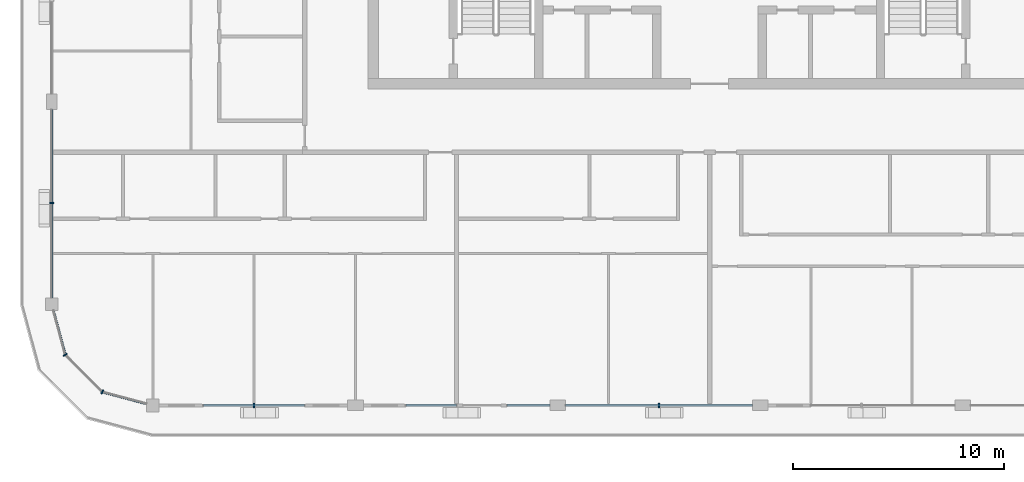
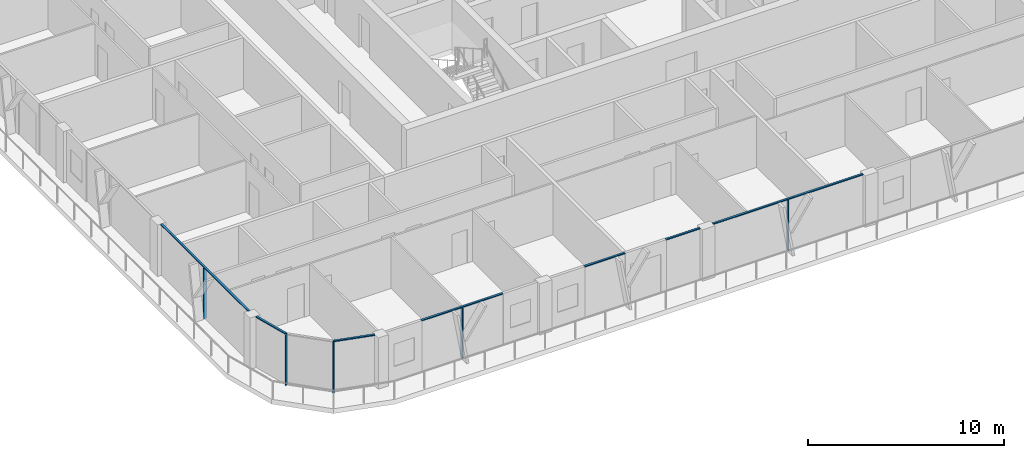
# One storey, part 2 of 21: 12 members, 5 elements without a shape of their own.
"""IFC4 building model written with IfcOpenShell, lengths in metres."""

from ifc_helpers import new_model, si_unit, direction, frame, origin, origin_2d, place, context, subcontext, project, spatial, rectangle, extrude, material, layer, layer_set, material_profile, profile_set, type_object, element, aggregate, save


model = new_model("IFC4")

# Units and contexts
model_context = context("Model", 3, precision=1e-05, world=origin(), true_north=direction((0.0, 1.0)))
body_context = subcontext(model_context, "Body", "Model", "MODEL_VIEW")
ifc_project = project(units=[si_unit("LENGTHUNIT", "METRE"), si_unit("AREAUNIT", "SQUARE_METRE"), si_unit("VOLUMEUNIT", "CUBIC_METRE"), si_unit("PLANEANGLEUNIT", "RADIAN"), si_unit("MASSUNIT", "GRAM", prefix="KILO")], contexts=[model_context])

# Site, building, storey
site_placement = place(None, origin())
site = spatial("IfcSite", under=ifc_project, at=site_placement, CompositionType="ELEMENT")
building_placement = place(site_placement, origin())
building = spatial("IfcBuilding", under=site, at=building_placement, Name="Madar Terraces", CompositionType="ELEMENT")
storey_placement = place(building_placement, frame((0.0, 0.0, 268.60009765625)))
storey = spatial("IfcBuildingStorey", under=building, at=storey_placement, Name="L70", CompositionType="ELEMENT", Elevation=268.60009765625)

# Curtain wall, member
ifc_material_1 = material(Name="Glass, ceramic frit dark grey, with black aluminium frame", Category="aluminium")
ifc_layer = layer(ifc_material_1, 0.199951171875)
ifc_layer_set = layer_set([ifc_layer], Name="Facade curtain wall, fritted glass")
curtain_wall_type = type_object("IfcCurtainWallType", Name="Facade curtain wall, fritted glass", PredefinedType="NOTDEFINED", material=ifc_layer_set)
curtain_wall_1_placement = place(storey_placement, origin())
curtain_wall_1 = element("IfcCurtainWall", 1, at=curtain_wall_1_placement, inside=storey, type_object=curtain_wall_type, Name="Outer skin curtain wall south bay 1", PredefinedType="NOTDEFINED")
ifc_material_2 = material(Name="Aluminium, black anodised", Category="aluminium")
ifc_material_profile_1 = material_profile(ifc_material_2, rectangle(XDim=0.199951171875, YDim=0.06005859375, at=origin_2d()), Name="Facade mullion 60x200")
ifc_profile_set_1 = profile_set([ifc_material_profile_1], Name="Aluminium, black anodised")
member_type_1 = type_object("IfcMemberType", Name="Facade mullion 60x200", PredefinedType="MULLION", material=ifc_profile_set_1)
member_1_placement = place(storey_placement, frame((9.60009765625, 0.0, 0.0), z_axis=(0.0, 0.0, 1.0), x_axis=(0.0, 1.0, 0.0)))
member_1 = element("IfcMember", 2, at=member_1_placement, type_object=member_type_1, Name="Mullion 1", PredefinedType="MULLION", context=body_context, shape_type="SweptSolid", body=[
    extrude(rectangle(XDim=0.199951171875, YDim=0.06005859375, at=origin_2d()), origin(), (0.0, 0.0, 1.0), 3.139892578125),
])

curtain_wall_2_placement = place(storey_placement, origin())
curtain_wall_2 = element("IfcCurtainWall", 3, at=curtain_wall_2_placement, inside=storey, type_object=curtain_wall_type, Name="Outer skin curtain wall south bay 3", PredefinedType="NOTDEFINED")
member_2_placement = place(storey_placement, frame((28.800048828125, 0.0, 0.0), z_axis=(0.0, 0.0, 1.0), x_axis=(0.0, 1.0, 0.0)))
member_2 = element("IfcMember", 4, at=member_2_placement, type_object=member_type_1, Name="Mullion 1", PredefinedType="MULLION", context=body_context, shape_type="SweptSolid", body=[
    extrude(rectangle(XDim=0.199951171875, YDim=0.06005859375, at=origin_2d()), origin(), (0.0, 0.0, 1.0), 3.139892578125),
])

curtain_wall_3_placement = place(storey_placement, origin())
curtain_wall_3 = element("IfcCurtainWall", 5, at=curtain_wall_3_placement, inside=storey, type_object=curtain_wall_type, Name="Outer skin curtain wall west bay 4", PredefinedType="NOTDEFINED")
member_3_placement = place(storey_placement, frame((0.0, 9.60009765625, 0.0), z_axis=(0.0, 0.0, 1.0), x_axis=(1.0, 0.0, 0.0)))
member_3 = element("IfcMember", 6, at=member_3_placement, type_object=member_type_1, Name="Mullion 1", PredefinedType="MULLION", context=body_context, shape_type="SweptSolid", body=[
    extrude(rectangle(XDim=0.199951171875, YDim=0.06005859375, at=origin_2d()), origin(), (0.0, 0.0, 1.0), 3.139892578125),
])

# Curtain wall, members
curtain_wall_4_placement = place(storey_placement, origin())
curtain_wall_4 = element("IfcCurtainWall", 7, at=curtain_wall_4_placement, inside=storey, type_object=curtain_wall_type, Name="Outer skin curtain wall south-west corner", PredefinedType="NOTDEFINED")
member_4_placement = place(storey_placement, frame((0.64306640625, 2.39990234375, 0.0), z_axis=(0.0, 0.0, 1.0), x_axis=(0.866025409797, 0.499999989586, 0.0)))
member_4 = element("IfcMember", 8, at=member_4_placement, type_object=member_type_1, Name="Mullion 1", PredefinedType="MULLION", context=body_context, shape_type="SweptSolid", body=[
    extrude(rectangle(XDim=0.199951171875, YDim=0.06005859375, at=origin_2d()), origin(), (0.0, 0.0, 1.0), 3.139892578125),
])
member_5_placement = place(storey_placement, frame((2.39990234375, 0.64306640625, 0.0), z_axis=(0.0, 0.0, 1.0), x_axis=(0.499999989586, 0.866025409797, 0.0)))
member_5 = element("IfcMember", 9, at=member_5_placement, type_object=member_type_1, Name="Mullion 2", PredefinedType="MULLION", context=body_context, shape_type="SweptSolid", body=[
    extrude(rectangle(XDim=0.199951171875, YDim=0.06005859375, at=origin_2d()), origin(), (0.0, 0.0, 1.0), 3.139892578125),
])

# Member
ifc_material_3 = material(Name="Aluminium, black anodised", Category="aluminium")
ifc_material_profile_2 = material_profile(ifc_material_3, rectangle(XDim=0.1201171875, YDim=0.06005859375, at=origin_2d()), Name="Facade transom 60x120")
ifc_profile_set_2 = profile_set([ifc_material_profile_2], Name="Aluminium, black anodised")
member_type_2 = type_object("IfcMemberType", Name="Facade transom 60x120", PredefinedType="USERDEFINED", material=ifc_profile_set_2)
member_6_placement = place(storey_placement, frame((7.199951171875, 0.0, 3.169921875), z_axis=(1.0, 0.0, 0.0), x_axis=(0.0, 1.0, 0.0)))
member_6 = element("IfcMember", 10, at=member_6_placement, type_object=member_type_2, Name="Transom 1", ObjectType="TRANSOM", PredefinedType="USERDEFINED", context=body_context, shape_type="SweptSolid", body=[
    extrude(rectangle(XDim=0.1201171875, YDim=0.06005859375, at=origin_2d()), origin(), (0.0, 0.0, 1.0), 4.800048828125),
])

aggregate(curtain_wall_1, [member_1, member_6])

# Curtain wall, members
curtain_wall_5_placement = place(storey_placement, origin())
curtain_wall_5 = element("IfcCurtainWall", 11, at=curtain_wall_5_placement, inside=storey, type_object=curtain_wall_type, Name="Outer skin curtain wall south bay 2", PredefinedType="NOTDEFINED")
member_7_placement = place(storey_placement, frame((16.800048828125, 0.0, 3.169921875), z_axis=(1.0, 0.0, 0.0), x_axis=(0.0, 1.0, 0.0)))
member_7 = element("IfcMember", 12, at=member_7_placement, type_object=member_type_2, Name="Transom 1", ObjectType="TRANSOM", PredefinedType="USERDEFINED", context=body_context, shape_type="SweptSolid", body=[
    extrude(rectangle(XDim=0.1201171875, YDim=0.06005859375, at=origin_2d()), origin(), (0.0, 0.0, 1.0), 2.39990234375),
])
member_8_placement = place(storey_placement, frame((21.60009765625, 0.0, 3.169921875), z_axis=(1.0, 0.0, 0.0), x_axis=(0.0, 1.0, 0.0)))
member_8 = element("IfcMember", 13, at=member_8_placement, type_object=member_type_2, Name="Transom 2", ObjectType="TRANSOM", PredefinedType="USERDEFINED", context=body_context, shape_type="SweptSolid", body=[
    extrude(rectangle(XDim=0.1201171875, YDim=0.06005859375, at=origin_2d()), origin(), (0.0, 0.0, 1.0), 2.02490234375),
])
aggregate(curtain_wall_5, [member_7, member_8])

# Member
member_9_placement = place(storey_placement, frame((24.375, 0.0, 3.169921875), z_axis=(1.0, 0.0, 0.0), x_axis=(0.0, 1.0, 0.0)))
member_9 = element("IfcMember", 14, at=member_9_placement, type_object=member_type_2, Name="Transom 1", ObjectType="TRANSOM", PredefinedType="USERDEFINED", context=body_context, shape_type="SweptSolid", body=[
    extrude(rectangle(XDim=0.1201171875, YDim=0.06005859375, at=origin_2d()), origin(), (0.0, 0.0, 1.0), 8.85009765625),
])

aggregate(curtain_wall_2, [member_2, member_9])

member_10_placement = place(storey_placement, frame((0.0, 14.02490234375, 3.169921875), z_axis=(0.0, -1.0, 0.0), x_axis=(1.0, 0.0, 0.0)))
member_10 = element("IfcMember", 15, at=member_10_placement, type_object=member_type_2, Name="Transom 1", ObjectType="TRANSOM", PredefinedType="USERDEFINED", context=body_context, shape_type="SweptSolid", body=[
    extrude(rectangle(XDim=0.1201171875, YDim=0.06005859375, at=origin_2d()), origin(), (0.0, 0.0, 1.0), 8.9248046875),
])

aggregate(curtain_wall_3, [member_3, member_10])

member_11_placement = place(storey_placement, frame((0.080322265625, 4.5, 3.169921875), z_axis=(0.258817664066, -0.965926196336, 0.0), x_axis=(0.965926196336, 0.258817664066, 0.0)))
member_11 = element("IfcMember", 16, at=member_11_placement, type_object=member_type_2, Name="Transom 1", ObjectType="TRANSOM", PredefinedType="USERDEFINED", context=body_context, shape_type="SweptSolid", body=[
    extrude(rectangle(XDim=0.1201171875, YDim=0.06005859375, at=origin_2d()), origin(), (0.0, 0.0, 1.0), 2.14404296875),
])

member_12_placement = place(storey_placement, frame((2.428955078125, 0.63525390625, 3.169921875), z_axis=(0.965926196336, -0.258817664066, 0.0), x_axis=(0.258817664066, 0.965926196336, 0.0)))
member_12 = element("IfcMember", 17, at=member_12_placement, type_object=member_type_2, Name="Transom 3", ObjectType="TRANSOM", PredefinedType="USERDEFINED", context=body_context, shape_type="SweptSolid", body=[
    extrude(rectangle(XDim=0.1201171875, YDim=0.06005859375, at=origin_2d()), origin(), (0.0, 0.0, 1.0), 2.14404296875),
])

aggregate(curtain_wall_4, [member_4, member_11, member_5, member_12])

save(model, "model.ifc")
